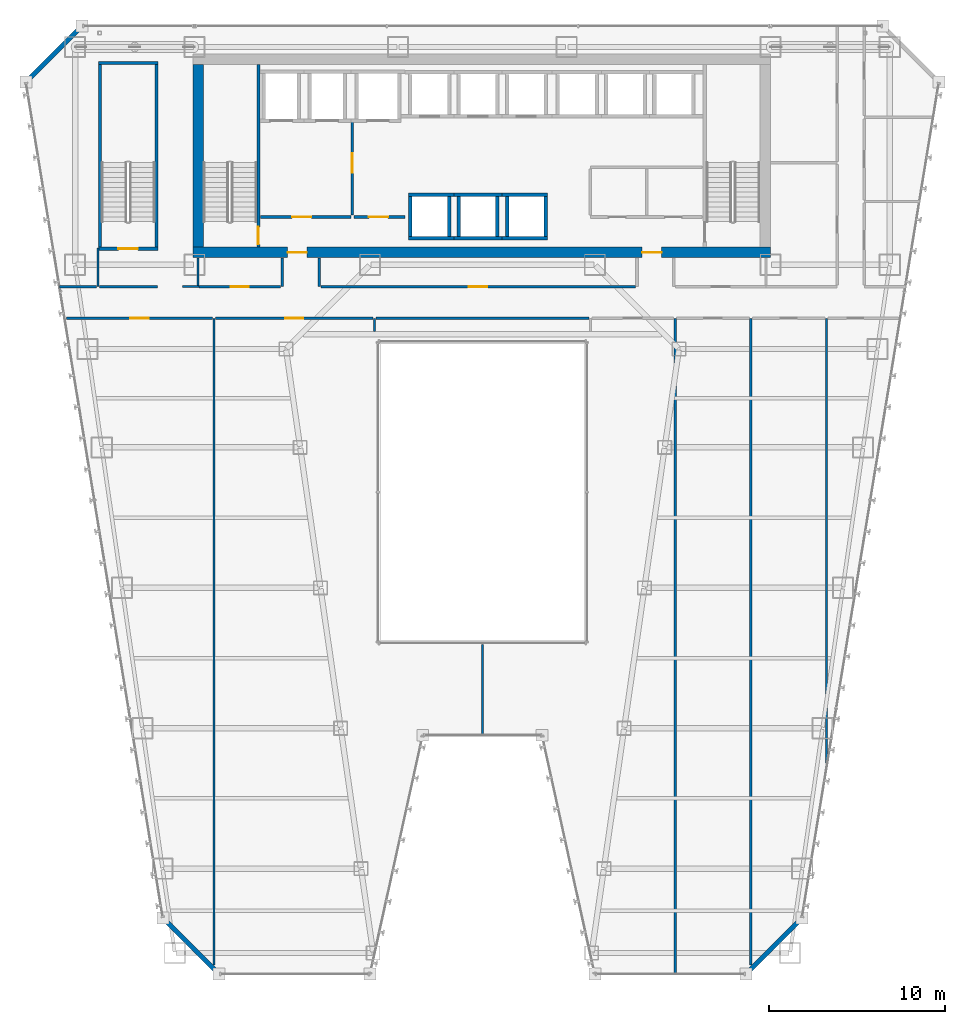
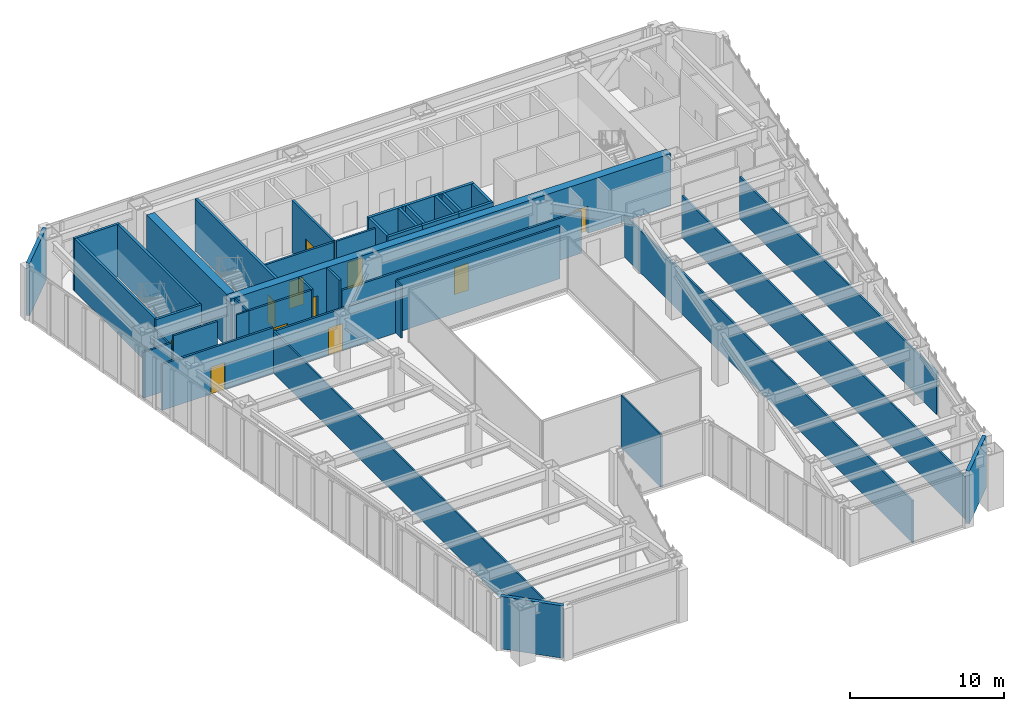
# One storey, part 36 of 47: 43 walls, 11 doors, 11 openings.
"""IFC4 building model written with IfcOpenShell, lengths in metres."""

from ifc_helpers import new_model, si_unit, direction, frame, frame_2d, origin, place, context, subcontext, project, spatial, rectangle, extrude, material, layer, layer_set, type_object, element, fill, save


model = new_model("IFC4")

# Units and contexts
model_context = context("Model", 3, precision=1e-05, world=origin(), true_north=direction((0.0, 1.0)))
body_context = subcontext(model_context, "Body", "Model", "MODEL_VIEW")
ifc_project = project(units=[si_unit("LENGTHUNIT", "METRE"), si_unit("AREAUNIT", "SQUARE_METRE"), si_unit("VOLUMEUNIT", "CUBIC_METRE"), si_unit("PLANEANGLEUNIT", "RADIAN"), si_unit("MASSUNIT", "GRAM", prefix="KILO")], contexts=[model_context])

# Site, building, storey
site_placement = place(None, origin())
site = spatial("IfcSite", under=ifc_project, at=site_placement, CompositionType="ELEMENT")
building_placement = place(site_placement, origin())
building = spatial("IfcBuilding", under=site, at=building_placement, Name="Saevonmaru Cultural Tower", CompositionType="ELEMENT")
storey_placement = place(building_placement, frame((0.0, 0.0, 64.800048828125)))
storey = spatial("IfcBuildingStorey", under=building, at=storey_placement, Name="L13", CompositionType="ELEMENT", Elevation=64.800048828125)

# Wall, openings, doors
ifc_material_1 = material(Name="Concrete C60/75", Category="concrete")
ifc_layer_1 = layer(ifc_material_1, 0.60009765625, Name="Concrete C60/75")
ifc_layer_set_1 = layer_set([ifc_layer_1], Name="Concrete C60/75")
wall_type_1 = type_object("IfcWallType", Name="WL-CORE-600", PredefinedType="SHEAR", material=ifc_layer_set_1)
wall_1_placement = place(storey_placement, frame((13.5, 43.10009765625, 0.0), z_axis=(0.0, 0.0, 1.0), x_axis=(1.0, 0.0, 0.0)))
wall_1 = element("IfcWall", 1, at=wall_1_placement, inside=storey, type_object=wall_type_1, Name="L13 Tower RC core shear wall S", PredefinedType="SHEAR", context=body_context, shape_type="SweptSolid", body=[
    extrude(rectangle(XDim=32.89990234375, YDim=0.60009765625, at=frame_2d((16.449951171875, 0.0))), origin(), (0.0, 0.0, 1.0), 4.14990234375),
])
opening_1_placement = place(wall_1_placement, frame((5.39990234375, 0.0, 0.0)))
opening_1 = element("IfcOpeningElement", 2, at=opening_1_placement, cuts=wall_1, Name="Opening FD-2", PredefinedType="OPENING", context=body_context, shape_type="SweptSolid", body=[
    extrude(rectangle(XDim=1.10009765625, YDim=2.14990234375, at=frame_2d((0.550048828125, 1.074951171875))), frame((0.0, 0.31005859375, 0.0), z_axis=(0.0, -1.0, 0.0), x_axis=(1.0, 0.0, 0.0)), (0.0, 0.0, 1.0), 0.6201171875),
])
opening_2_placement = place(wall_1_placement, frame((25.60009765625, 0.0, 0.0)))
opening_2 = element("IfcOpeningElement", 3, at=opening_2_placement, cuts=wall_1, Name="Opening FD-2", PredefinedType="OPENING", context=body_context, shape_type="SweptSolid", body=[
    extrude(rectangle(XDim=1.10009765625, YDim=2.14990234375, at=frame_2d((0.550048828125, 1.074951171875))), frame((0.0, 0.31005859375, 0.0), z_axis=(0.0, -1.0, 0.0), x_axis=(1.0, 0.0, 0.0)), (0.0, 0.0, 1.0), 0.6201171875),
])
ifc_material_2 = material(Name="Satin Bronze Anodised Aluminium", Category="aluminium")
door_type_1 = type_object("IfcDoorType", Name="DR-FD60-1100", OperationType="SINGLE_SWING_LEFT", PredefinedType="DOOR", material=ifc_material_2)
door_1_placement = place(opening_1_placement, origin())
door_1 = element("IfcDoor", 4, at=door_1_placement, inside=storey, type_object=door_type_1, Name="L13 Core West Lobby Fire Door", OperationType="SINGLE_SWING_LEFT", OverallHeight=2.14990234375, OverallWidth=1.10009765625, PredefinedType="DOOR", context=body_context, shape_type="SweptSolid", body=[
    extrude(rectangle(XDim=1.10009765625, YDim=2.14990234375, at=frame_2d((0.550048828125, 1.074951171875))), frame((0.0, 0.02490234375, 0.0), z_axis=(0.0, -1.0, 0.0), x_axis=(1.0, 0.0, 0.0)), (0.0, 0.0, 1.0), 0.050048828125),
])
fill(opening_1, door_1)
door_2_placement = place(opening_2_placement, origin())
door_2 = element("IfcDoor", 5, at=door_2_placement, inside=storey, type_object=door_type_1, Name="L13 Core East Lobby Fire Door", OperationType="SINGLE_SWING_LEFT", OverallHeight=2.14990234375, OverallWidth=1.10009765625, PredefinedType="DOOR", context=body_context, shape_type="SweptSolid", body=[
    extrude(rectangle(XDim=1.10009765625, YDim=2.14990234375, at=frame_2d((0.550048828125, 1.074951171875))), frame((0.0, 0.02490234375, 0.0), z_axis=(0.0, -1.0, 0.0), x_axis=(1.0, 0.0, 0.0)), (0.0, 0.0, 1.0), 0.050048828125),
])
fill(opening_2, door_2)

# Wall
wall_2_placement = place(storey_placement, frame((13.800048828125, 43.39990234375, 0.0), z_axis=(0.0, 0.0, 1.0), x_axis=(0.0, 1.0, 0.0)))
element("IfcWall", 6, at=wall_2_placement, inside=storey, type_object=wall_type_1, Name="L13 Tower RC core shear wall W", PredefinedType="SHEAR", context=body_context, shape_type="SweptSolid", body=[
    extrude(rectangle(XDim=10.400146484375, YDim=0.60009765625, at=frame_2d((5.2001953125, 0.0))), origin(), (0.0, 0.0, 1.0), 4.14990234375),
])

# Wall, opening, door
ifc_material_3 = material(Name="Gypsum Fireboard Partition", Category="gypsum")
ifc_layer_2 = layer(ifc_material_3, 0.14990234375, Name="Gypsum Fireboard Partition")
ifc_layer_set_2 = layer_set([ifc_layer_2], Name="Gypsum Fireboard Partition")
wall_type_2 = type_object("IfcWallType", Name="WL-CORE-PART-150", PredefinedType="PARTITIONING", material=ifc_layer_set_2)
wall_3_placement = place(storey_placement, frame((17.360107421875, 45.1201171875, 0.0), z_axis=(0.0, 0.0, 1.0), x_axis=(1.0, 0.0, 0.0)))
wall_3 = element("IfcWall", 7, at=wall_3_placement, inside=storey, type_object=wall_type_2, Name="L13 Firefighting Lift Lobby South Wall", PredefinedType="PARTITIONING", context=body_context, shape_type="SweptSolid", body=[
    extrude(rectangle(XDim=5.139892578125, YDim=0.14990234375, at=frame_2d((2.56982421875, 0.0))), origin(), (0.0, 0.0, 1.0), 4.14990234375),
])
opening_3_placement = place(wall_3_placement, frame((1.800048828125, 0.0, 0.0)))
opening_3 = element("IfcOpeningElement", 8, at=opening_3_placement, cuts=wall_3, Name="Opening FD-2", PredefinedType="OPENING", context=body_context, shape_type="SweptSolid", body=[
    extrude(rectangle(XDim=1.10009765625, YDim=2.14990234375, at=frame_2d((0.550048828125, 1.074951171875))), frame((0.0, 0.0849609375, 0.0), z_axis=(0.0, -1.0, 0.0), x_axis=(1.0, 0.0, 0.0)), (0.0, 0.0, 1.0), 0.169921875),
])
door_3_placement = place(opening_3_placement, origin())
door_3 = element("IfcDoor", 9, at=door_3_placement, inside=storey, type_object=door_type_1, Name="L13 Firefighting Lift Lobby South Door", OperationType="SINGLE_SWING_LEFT", OverallHeight=2.14990234375, OverallWidth=1.10009765625, PredefinedType="DOOR", context=body_context, shape_type="SweptSolid", body=[
    extrude(rectangle(XDim=1.10009765625, YDim=2.14990234375, at=frame_2d((0.550048828125, 1.074951171875))), frame((0.0, 0.02490234375, 0.0), z_axis=(0.0, -1.0, 0.0), x_axis=(1.0, 0.0, 0.0)), (0.0, 0.0, 1.0), 0.050048828125),
])
fill(opening_3, door_3)

wall_4_placement = place(storey_placement, frame((22.580078125, 50.550048828125, 0.0), z_axis=(0.0, 0.0, 1.0), x_axis=(0.0, -1.0, 0.0)))
wall_4 = element("IfcWall", 10, at=wall_4_placement, inside=storey, type_object=wall_type_2, Name="L13 Firefighting Lift Lobby East Wall", PredefinedType="PARTITIONING", context=body_context, shape_type="SweptSolid", body=[
    extrude(rectangle(XDim=5.330078125, YDim=0.14990234375, at=frame_2d((2.6650390625, 0.0))), origin(), (0.0, 0.0, 1.0), 4.14990234375),
])
opening_4_placement = place(wall_4_placement, frame((1.800048828125, 0.0, 0.0)))
opening_4 = element("IfcOpeningElement", 11, at=opening_4_placement, cuts=wall_4, Name="Opening FD-2", PredefinedType="OPENING", context=body_context, shape_type="SweptSolid", body=[
    extrude(rectangle(XDim=1.10009765625, YDim=2.14990234375, at=frame_2d((0.550048828125, 1.074951171875))), frame((0.0, 0.0849609375, 0.0), z_axis=(0.0, -1.0, 0.0), x_axis=(1.0, 0.0, 0.0)), (0.0, 0.0, 1.0), 0.169921875),
])
door_4_placement = place(opening_4_placement, origin())
door_4 = element("IfcDoor", 12, at=door_4_placement, inside=storey, type_object=door_type_1, Name="L13 Firefighting Lift Lobby East Door", OperationType="SINGLE_SWING_LEFT", OverallHeight=2.14990234375, OverallWidth=1.10009765625, PredefinedType="DOOR", context=body_context, shape_type="SweptSolid", body=[
    extrude(rectangle(XDim=1.10009765625, YDim=2.14990234375, at=frame_2d((0.550048828125, 1.074951171875))), frame((0.0, 0.02490234375, 0.0), z_axis=(0.0, -1.0, 0.0), x_axis=(1.0, 0.0, 0.0)), (0.0, 0.0, 1.0), 0.050048828125),
])
fill(opening_4, door_4)

wall_5_placement = place(storey_placement, frame((22.679931640625, 45.1201171875, 0.0), z_axis=(0.0, 0.0, 1.0), x_axis=(1.0, 0.0, 0.0)))
wall_5 = element("IfcWall", 13, at=wall_5_placement, inside=storey, type_object=wall_type_2, Name="L13 Service Lift Vestibule Wall", PredefinedType="PARTITIONING", context=body_context, shape_type="SweptSolid", body=[
    extrude(rectangle(XDim=2.920166015625, YDim=0.14990234375, at=frame_2d((1.4599609375, 0.0))), origin(), (0.0, 0.0, 1.0), 4.14990234375),
])
opening_5_placement = place(wall_5_placement, frame((0.85009765625, 0.0, 0.0)))
opening_5 = element("IfcOpeningElement", 14, at=opening_5_placement, cuts=wall_5, Name="Opening FD-2", PredefinedType="OPENING", context=body_context, shape_type="SweptSolid", body=[
    extrude(rectangle(XDim=1.10009765625, YDim=2.14990234375, at=frame_2d((0.550048828125, 1.074951171875))), frame((0.0, 0.0849609375, 0.0), z_axis=(0.0, -1.0, 0.0), x_axis=(1.0, 0.0, 0.0)), (0.0, 0.0, 1.0), 0.169921875),
])
door_5_placement = place(opening_5_placement, origin())
door_5 = element("IfcDoor", 15, at=door_5_placement, inside=storey, type_object=door_type_1, Name="L13 Service Lift Vestibule Door", OperationType="SINGLE_SWING_LEFT", OverallHeight=2.14990234375, OverallWidth=1.10009765625, PredefinedType="DOOR", context=body_context, shape_type="SweptSolid", body=[
    extrude(rectangle(XDim=1.10009765625, YDim=2.14990234375, at=frame_2d((0.550048828125, 1.074951171875))), frame((0.0, 0.02490234375, 0.0), z_axis=(0.0, -1.0, 0.0), x_axis=(1.0, 0.0, 0.0)), (0.0, 0.0, 1.0), 0.050048828125),
])
fill(opening_5, door_5)

# Walls
ifc_material_4 = material(Name="Granite-Clad Precast Concrete C40/50", Category="masonry")
ifc_layer_3 = layer(ifc_material_4, 0.260009765625, Name="Granite-Clad Precast Concrete C40/50")
ifc_layer_set_3 = layer_set([ifc_layer_3], Name="Granite-Clad Precast Concrete C40/50")
wall_type_3 = type_object("IfcWallType", Name="WL-EXT-SPANDREL-260", PredefinedType="STANDARD", material=ifc_layer_set_3)
for number, where, z_axis, x_axis, name in (
    (16, (11.9130859375, 5.0869140625, 0.0), (0.0, 0.0, 1.0), (0.707106781187, -0.707106781187, 0.0), "L13 Chamfer Corner Spandrel Wall E1"),
    (17, (45.113037109375, 2.113037109375, 0.0), (0.0, 0.0, 1.0), (0.707106781187, 0.707106781187, 0.0), "L13 Chamfer Corner Spandrel Wall E7"),
    (18, (7.0869140625, 55.886962890625, 0.0), (0.0, 0.0, 1.0), (-0.707106781187, -0.707106781187, 0.0), "L13 Chamfer Corner Spandrel Wall E11"),
):
    element("IfcWall", number, at=place(storey_placement, frame(where, z_axis=z_axis, x_axis=x_axis)), inside=storey, type_object=wall_type_3, Name=name, PredefinedType="STANDARD", context=body_context, shape_type="SweptSolid", body=[
        extrude(rectangle(XDim=4.205810546875, YDim=0.260009765625, at=frame_2d((2.10302734375, 0.0))), origin(), (0.0, 0.0, 1.0), 4.14990234375),
    ])
ifc_layer_4 = layer(ifc_material_3, 0.14990234375, Name="Gypsum Fireboard Partition")
ifc_layer_set_4 = layer_set([ifc_layer_4], Name="Gypsum Fireboard Partition")
wall_type_4 = type_object("IfcWallType", Name="WL-PART-FIRE-150", PredefinedType="PARTITIONING", material=ifc_layer_set_4)
wall_6_placement = place(storey_placement, frame((8.179931640625, 41.14990234375, 0.0), z_axis=(0.0, 0.0, 1.0), x_axis=(1.0, 0.0, 0.0)))
element("IfcWall", 19, at=wall_6_placement, inside=storey, type_object=wall_type_4, Name="L13 Stair ST-3 South Vestibule Wall", PredefinedType="PARTITIONING", context=body_context, shape_type="SweptSolid", body=[
    extrude(rectangle(XDim=3.300048828125, YDim=0.14990234375, at=frame_2d((1.64990234375, 0.0))), origin(), (0.0, 0.0, 1.0), 4.14990234375),
])
wall_7_placement = place(storey_placement, frame((5.9140625, 41.14990234375, 0.0), z_axis=(0.0, 0.0, 1.0), x_axis=(1.0, 0.0, 0.0)))
element("IfcWall", 20, at=wall_7_placement, inside=storey, type_object=wall_type_4, Name="L13 Contemporary Photography Gallery Corridor Wall", PredefinedType="PARTITIONING", context=body_context, shape_type="SweptSolid", body=[
    extrude(rectangle(XDim=2.10595703125, YDim=0.14990234375, at=frame_2d((1.052978515625, 0.0))), origin(), (0.0, 0.0, 1.0), 3.635009765625),
])
for number, where, z_axis, x_axis, name in (
    (21, (18.60009765625, 41.14990234375, 0.0), (0.0, 0.0, 1.0), (0.0, 1.0, 0.0), "L13 Core Portal Side Wall W1"),
    (22, (20.699951171875, 41.14990234375, 0.0), (0.0, 0.0, 1.0), (0.0, 1.0, 0.0), "L13 Core Portal Side Wall W2"),
):
    element("IfcWall", number, at=place(storey_placement, frame(where, z_axis=z_axis, x_axis=x_axis)), inside=storey, type_object=wall_type_4, Name=name, PredefinedType="PARTITIONING", context=body_context, shape_type="SweptSolid", body=[
        extrude(rectangle(XDim=1.630126953125, YDim=0.14990234375, at=frame_2d((0.81494140625, 0.0))), origin(), (0.0, 0.0, 1.0), 4.14990234375),
    ])

# Wall, opening, door
wall_8_placement = place(storey_placement, frame((13.85009765625, 41.14990234375, 0.0), z_axis=(0.0, 0.0, 1.0), x_axis=(1.0, 0.0, 0.0)))
wall_8 = element("IfcWall", 23, at=wall_8_placement, inside=storey, type_object=wall_type_4, Name="L13 Permanent Exhibition Gallery Corridor Wall", PredefinedType="PARTITIONING", context=body_context, shape_type="SweptSolid", body=[
    extrude(rectangle(XDim=4.65478515625, YDim=0.14990234375, at=frame_2d((2.327392578125, 0.0))), origin(), (0.0, 0.0, 1.0), 4.14990234375),
])
opening_6_placement = place(wall_8_placement, frame((1.802001953125, 0.0, 0.0)))
opening_6 = element("IfcOpeningElement", 24, at=opening_6_placement, cuts=wall_8, Name="Opening ID-1", PredefinedType="OPENING", context=body_context, shape_type="SweptSolid", body=[
    extrude(rectangle(XDim=1.050048828125, YDim=2.14990234375, at=frame_2d((0.52490234375, 1.074951171875))), frame((0.0, 0.0849609375, 0.0), z_axis=(0.0, -1.0, 0.0), x_axis=(1.0, 0.0, 0.0)), (0.0, 0.0, 1.0), 0.169921875),
])
door_type_2 = type_object("IfcDoorType", Name="DR-INT-1050", OperationType="SINGLE_SWING_LEFT", PredefinedType="DOOR", material=ifc_material_2)
door_6_placement = place(opening_6_placement, origin())
door_6 = element("IfcDoor", 25, at=door_6_placement, inside=storey, type_object=door_type_2, Name="L13 Permanent Exhibition Gallery Door", OperationType="SINGLE_SWING_LEFT", OverallHeight=2.14990234375, OverallWidth=1.050048828125, PredefinedType="DOOR", context=body_context, shape_type="SweptSolid", body=[
    extrude(rectangle(XDim=1.050048828125, YDim=2.14990234375, at=frame_2d((0.52490234375, 1.074951171875))), frame((0.0, 0.02490234375, 0.0), z_axis=(0.0, -1.0, 0.0), x_axis=(1.0, 0.0, 0.0)), (0.0, 0.0, 1.0), 0.050048828125),
])
fill(opening_6, door_6)

wall_9_placement = place(storey_placement, frame((20.794921875, 41.14990234375, 0.0), z_axis=(0.0, 0.0, 1.0), x_axis=(1.0, 0.0, 0.0)))
wall_9 = element("IfcWall", 26, at=wall_9_placement, inside=storey, type_object=wall_type_4, Name="L13 Contemporary Photography Gallery Corridor Wall", PredefinedType="PARTITIONING", context=body_context, shape_type="SweptSolid", body=[
    extrude(rectangle(XDim=17.91015625, YDim=0.14990234375, at=frame_2d((8.955078125, 0.0))), origin(), (0.0, 0.0, 1.0), 3.3349609375),
])
opening_7_placement = place(wall_9_placement, frame((8.429931640625, 0.0, 0.0)))
opening_7 = element("IfcOpeningElement", 27, at=opening_7_placement, cuts=wall_9, Name="Opening ID-1", PredefinedType="OPENING", context=body_context, shape_type="SweptSolid", body=[
    extrude(rectangle(XDim=1.050048828125, YDim=2.14990234375, at=frame_2d((0.52490234375, 1.074951171875))), frame((0.0, 0.0849609375, 0.0), z_axis=(0.0, -1.0, 0.0), x_axis=(1.0, 0.0, 0.0)), (0.0, 0.0, 1.0), 0.169921875),
])
door_7_placement = place(opening_7_placement, origin())
door_7 = element("IfcDoor", 28, at=door_7_placement, inside=storey, type_object=door_type_2, Name="L13 Contemporary Photography Gallery Door", OperationType="SINGLE_SWING_RIGHT", OverallHeight=2.14990234375, OverallWidth=1.050048828125, PredefinedType="DOOR", context=body_context, shape_type="SweptSolid", body=[
    extrude(rectangle(XDim=1.050048828125, YDim=2.14990234375, at=frame_2d((0.52490234375, 1.074951171875))), frame((0.0, 0.02490234375, 0.0), z_axis=(0.0, -1.0, 0.0), x_axis=(1.0, 0.0, 0.0)), (0.0, 0.0, 1.0), 0.050048828125),
])
fill(opening_7, door_7)

wall_10_placement = place(storey_placement, frame((6.304931640625, 39.35009765625, 0.0), z_axis=(0.0, 0.0, 1.0), x_axis=(1.0, 0.0, 0.0)))
wall_10 = element("IfcWall", 29, at=wall_10_placement, inside=storey, type_object=wall_type_4, Name="L13 Permanent Exhibition Gallery Corridor Wall", PredefinedType="PARTITIONING", context=body_context, shape_type="SweptSolid", body=[
    extrude(rectangle(XDim=8.324951171875, YDim=0.14990234375, at=frame_2d((4.16259765625, 0.0))), origin(), (0.0, 0.0, 1.0), 3.635009765625),
])
opening_8_placement = place(wall_10_placement, frame((3.637939453125, 0.0, 0.0)))
opening_8 = element("IfcOpeningElement", 30, at=opening_8_placement, cuts=wall_10, Name="Opening ID-1", PredefinedType="OPENING", context=body_context, shape_type="SweptSolid", body=[
    extrude(rectangle(XDim=1.050048828125, YDim=2.14990234375, at=frame_2d((0.52490234375, 1.074951171875))), frame((0.0, 0.0849609375, 0.0), z_axis=(0.0, -1.0, 0.0), x_axis=(1.0, 0.0, 0.0)), (0.0, 0.0, 1.0), 0.169921875),
])
door_8_placement = place(opening_8_placement, origin())
door_8 = element("IfcDoor", 31, at=door_8_placement, inside=storey, type_object=door_type_2, Name="L13 Permanent Exhibition Gallery Door", OperationType="SINGLE_SWING_RIGHT", OverallHeight=2.14990234375, OverallWidth=1.050048828125, PredefinedType="DOOR", context=body_context, shape_type="SweptSolid", body=[
    extrude(rectangle(XDim=1.050048828125, YDim=2.14990234375, at=frame_2d((0.52490234375, 1.074951171875))), frame((0.0, 0.02490234375, 0.0), z_axis=(0.0, -1.0, 0.0), x_axis=(1.0, 0.0, 0.0)), (0.0, 0.0, 1.0), 0.050048828125),
])
fill(opening_8, door_8)

wall_11_placement = place(storey_placement, frame((14.7900390625, 39.35009765625, 0.0), z_axis=(0.0, 0.0, 1.0), x_axis=(1.0, 0.0, 0.0)))
wall_11 = element("IfcWall", 32, at=wall_11_placement, inside=storey, type_object=wall_type_4, Name="L13 Contemporary Photography Gallery Corridor Wall", PredefinedType="PARTITIONING", context=body_context, shape_type="SweptSolid", body=[
    extrude(rectangle(XDim=8.97998046875, YDim=0.14990234375, at=frame_2d((4.489990234375, 0.0))), origin(), (0.0, 0.0, 1.0), 3.3349609375),
])
opening_9_placement = place(wall_11_placement, frame((3.965087890625, 0.0, 0.0)))
opening_9 = element("IfcOpeningElement", 33, at=opening_9_placement, cuts=wall_11, Name="Opening ID-1", PredefinedType="OPENING", context=body_context, shape_type="SweptSolid", body=[
    extrude(rectangle(XDim=1.050048828125, YDim=2.14990234375, at=frame_2d((0.52490234375, 1.074951171875))), frame((0.0, 0.0849609375, 0.0), z_axis=(0.0, -1.0, 0.0), x_axis=(1.0, 0.0, 0.0)), (0.0, 0.0, 1.0), 0.169921875),
])
door_9_placement = place(opening_9_placement, origin())
door_9 = element("IfcDoor", 34, at=door_9_placement, inside=storey, type_object=door_type_2, Name="L13 Contemporary Photography Gallery Door", OperationType="SINGLE_SWING_LEFT", OverallHeight=2.14990234375, OverallWidth=1.050048828125, PredefinedType="DOOR", context=body_context, shape_type="SweptSolid", body=[
    extrude(rectangle(XDim=1.050048828125, YDim=2.14990234375, at=frame_2d((0.52490234375, 1.074951171875))), frame((0.0, 0.02490234375, 0.0), z_axis=(0.0, -1.0, 0.0), x_axis=(1.0, 0.0, 0.0)), (0.0, 0.0, 1.0), 0.050048828125),
])
fill(opening_9, door_9)

# Walls
wall_12_placement = place(storey_placement, frame((23.929931640625, 39.35009765625, 0.0), z_axis=(0.0, 0.0, 1.0), x_axis=(1.0, 0.0, 0.0)))
element("IfcWall", 35, at=wall_12_placement, inside=storey, type_object=wall_type_4, Name="L13 North Atrium Corridor Wall", PredefinedType="PARTITIONING", context=body_context, shape_type="SweptSolid", body=[
    extrude(rectangle(XDim=12.14013671875, YDim=0.14990234375, at=frame_2d((6.070068359375, 0.0))), origin(), (0.0, 0.0, 1.0), 4.14990234375),
])
ifc_layer_5 = layer(ifc_material_3, 0.1201171875, Name="Gypsum Fireboard Partition")
ifc_layer_set_5 = layer_set([ifc_layer_5], Name="Gypsum Fireboard Partition")
wall_type_5 = type_object("IfcWallType", Name="WL-PART-GYP-120", PredefinedType="PARTITIONING", material=ifc_layer_set_5)
wall_13_placement = place(storey_placement, frame((12.919921875, 41.14990234375, 0.0), z_axis=(0.0, 0.0, 1.0), x_axis=(1.0, 0.0, 0.0)))
element("IfcWall", 36, at=wall_13_placement, inside=storey, type_object=wall_type_5, Name="L13 NW Inner South Wall", PredefinedType="PARTITIONING", context=body_context, shape_type="SweptSolid", body=[
    extrude(rectangle(XDim=0.93017578125, YDim=0.1201171875, at=frame_2d((0.465087890625, 0.0))), origin(), (0.0, 0.0, 1.0), 4.14990234375),
])
wall_14_placement = place(storey_placement, frame((13.800048828125, 41.22998046875, 0.0), z_axis=(0.0, 0.0, 1.0), x_axis=(0.0, 1.0, 0.0)))
element("IfcWall", 37, at=wall_14_placement, inside=storey, type_object=wall_type_5, Name="L13 NW Inner Core Return", PredefinedType="PARTITIONING", context=body_context, shape_type="SweptSolid", body=[
    extrude(rectangle(XDim=1.550048828125, YDim=0.1201171875, at=frame_2d((0.77490234375, 0.0))), origin(), (0.0, 0.0, 1.0), 4.14990234375),
])
wall_15_placement = place(storey_placement, frame((8.10009765625, 41.14990234375, 0.0), z_axis=(0.0, 0.0, 1.0), x_axis=(0.0, 1.0, 0.0)))
element("IfcWall", 38, at=wall_15_placement, inside=storey, type_object=wall_type_5, Name="L13 NW Stair Return", PredefinedType="PARTITIONING", context=body_context, shape_type="SweptSolid", body=[
    extrude(rectangle(XDim=2.2001953125, YDim=0.1201171875, at=frame_2d((1.10009765625, 0.0))), origin(), (0.0, 0.0, 1.0), 3.3349609375),
])
wall_16_placement = place(storey_placement, frame((14.7099609375, 2.502197265625, 0.0), z_axis=(0.0, 0.0, 1.0), x_axis=(0.0, 1.0, 0.0)))
element("IfcWall", 39, at=wall_16_placement, inside=storey, type_object=wall_type_5, Name="L13 West Bay Divider 1", PredefinedType="PARTITIONING", context=body_context, shape_type="SweptSolid", body=[
    extrude(rectangle(XDim=36.847900390625, YDim=0.1201171875, at=frame_2d((18.423828125, 0.0))), origin(), (0.0, 0.0, 1.0), 3.3349609375),
])
wall_17_placement = place(storey_placement, frame((23.85009765625, 38.60009765625, 0.0), z_axis=(0.0, 0.0, 1.0), x_axis=(0.0, 1.0, 0.0)))
element("IfcWall", 40, at=wall_17_placement, inside=storey, type_object=wall_type_5, Name="L13 North Atrium West Wall", PredefinedType="PARTITIONING", context=body_context, shape_type="SweptSolid", body=[
    extrude(rectangle(XDim=0.75, YDim=0.1201171875, at=frame_2d((0.375, 0.0))), origin(), (0.0, 0.0, 1.0), 4.14990234375),
])
wall_18_placement = place(storey_placement, frame((30.0, 15.60498046875, 0.0), z_axis=(0.0, 0.0, 1.0), x_axis=(0.0, 1.0, 0.0)))
element("IfcWall", 41, at=wall_18_placement, inside=storey, type_object=wall_type_5, Name="L13 South Atrium Center Split", PredefinedType="PARTITIONING", context=body_context, shape_type="SweptSolid", body=[
    extrude(rectangle(XDim=5.175048828125, YDim=0.1201171875, at=frame_2d((2.58740234375, 0.0))), origin(), (0.0, 0.0, 1.0), 4.14990234375),
])
ifc_layer_6 = layer(ifc_material_3, 0.135009765625, Name="Gypsum Fireboard Partition")
ifc_layer_set_6 = layer_set([ifc_layer_6], Name="Gypsum Fireboard Partition")
wall_type_6 = type_object("IfcWallType", Name="WL-PART-GYP-135", PredefinedType="PARTITIONING", material=ifc_layer_set_6)
wall_19_placement = place(storey_placement, frame((40.97998046875, 2.0048828125, 0.0), z_axis=(0.0, 0.0, 1.0), x_axis=(0.0, 1.0, 0.0)))
element("IfcWall", 42, at=wall_19_placement, inside=storey, type_object=wall_type_6, Name="L13 East Bay Divider 1", PredefinedType="PARTITIONING", context=body_context, shape_type="SweptSolid", body=[
    extrude(rectangle(XDim=37.34521484375, YDim=0.135009765625, at=frame_2d((18.672607421875, 0.0))), origin(), (0.0, 0.0, 1.0), 3.3349609375),
])
wall_20_placement = place(storey_placement, frame((45.2900390625, 2.502197265625, 0.0), z_axis=(0.0, 0.0, 1.0), x_axis=(0.0, 1.0, 0.0)))
element("IfcWall", 43, at=wall_20_placement, inside=storey, type_object=wall_type_6, Name="L13 East Bay Divider 2", PredefinedType="PARTITIONING", context=body_context, shape_type="SweptSolid", body=[
    extrude(rectangle(XDim=36.847900390625, YDim=0.135009765625, at=frame_2d((18.423828125, 0.0))), origin(), (0.0, 0.0, 1.0), 3.3349609375),
])
wall_21_placement = place(storey_placement, frame((49.60009765625, 13.7744140625, 0.0), z_axis=(0.0, 0.0, 1.0), x_axis=(0.0, 1.0, 0.0)))
element("IfcWall", 44, at=wall_21_placement, inside=storey, type_object=wall_type_6, Name="L13 East Bay Divider 3", PredefinedType="PARTITIONING", context=body_context, shape_type="SweptSolid", body=[
    extrude(rectangle(XDim=25.57568359375, YDim=0.135009765625, at=frame_2d((12.787841796875, 0.0))), origin(), (0.0, 0.0, 1.0), 3.3349609375),
])
ifc_material_5 = material(Name="Concrete C40/50", Category="concrete")
ifc_layer_7 = layer(ifc_material_5, 0.199951171875, Name="Concrete C40/50")
ifc_layer_set_7 = layer_set([ifc_layer_7], Name="Concrete C40/50")
wall_type_7 = type_object("IfcWallType", Name="WL-SHAFT-200", PredefinedType="SHEAR", material=ifc_layer_set_7)
for number, where, z_axis, x_axis, name in (
    (45, (25.800048828125, 43.89990234375, 0.0), (0.0, 0.0, 1.0), (1.0, 0.0, 0.0), "L13 Lift PL-M1 Hoistway Wall S"),
    (46, (25.800048828125, 46.39990234375, 0.0), (0.0, 0.0, 1.0), (1.0, 0.0, 0.0), "L13 Lift PL-M1 Hoistway Wall N"),
):
    element("IfcWall", number, at=place(storey_placement, frame(where, z_axis=z_axis, x_axis=x_axis)), inside=storey, type_object=wall_type_7, Name=name, PredefinedType="SHEAR", context=body_context, shape_type="SweptSolid", body=[
        extrude(rectangle(XDim=2.574951171875, YDim=0.199951171875, at=frame_2d((1.28759765625, 0.0))), origin(), (0.0, 0.0, 1.0), 4.14990234375),
    ])
for number, where, z_axis, x_axis, name in (
    (47, (25.89990234375, 44.0, 0.0), (0.0, 0.0, 1.0), (0.0, 1.0, 0.0), "L13 Lift PL-M1 Hoistway Wall W"),
    (48, (28.10009765625, 44.0, 0.0), (0.0, 0.0, 1.0), (0.0, 1.0, 0.0), "L13 Lift PL-M1 Hoistway Wall E"),
):
    element("IfcWall", number, at=place(storey_placement, frame(where, z_axis=z_axis, x_axis=x_axis)), inside=storey, type_object=wall_type_7, Name=name, PredefinedType="SHEAR", context=body_context, shape_type="SweptSolid", body=[
        extrude(rectangle(XDim=2.300048828125, YDim=0.199951171875, at=frame_2d((1.14990234375, 0.0))), origin(), (0.0, 0.0, 1.0), 4.14990234375),
    ])
for number, where, z_axis, x_axis, name in (
    (49, (28.375, 43.89990234375, 0.0), (0.0, 0.0, 1.0), (1.0, 0.0, 0.0), "L13 Lift PL-M2 Hoistway Wall S"),
    (50, (28.375, 46.39990234375, 0.0), (0.0, 0.0, 1.0), (1.0, 0.0, 0.0), "L13 Lift PL-M2 Hoistway Wall N"),
):
    element("IfcWall", number, at=place(storey_placement, frame(where, z_axis=z_axis, x_axis=x_axis)), inside=storey, type_object=wall_type_7, Name=name, PredefinedType="SHEAR", context=body_context, shape_type="SweptSolid", body=[
        extrude(rectangle(XDim=2.75, YDim=0.199951171875, at=frame_2d((1.375, 0.0))), origin(), (0.0, 0.0, 1.0), 4.14990234375),
    ])
for number, where, z_axis, x_axis, name in (
    (51, (28.64990234375, 44.0, 0.0), (0.0, 0.0, 1.0), (0.0, 1.0, 0.0), "L13 Lift PL-M2 Hoistway Wall W"),
    (52, (30.85009765625, 44.0, 0.0), (0.0, 0.0, 1.0), (0.0, 1.0, 0.0), "L13 Lift PL-M2 Hoistway Wall E"),
):
    element("IfcWall", number, at=place(storey_placement, frame(where, z_axis=z_axis, x_axis=x_axis)), inside=storey, type_object=wall_type_7, Name=name, PredefinedType="SHEAR", context=body_context, shape_type="SweptSolid", body=[
        extrude(rectangle(XDim=2.300048828125, YDim=0.199951171875, at=frame_2d((1.14990234375, 0.0))), origin(), (0.0, 0.0, 1.0), 4.14990234375),
    ])
for number, where, z_axis, x_axis, name in (
    (53, (31.125, 43.89990234375, 0.0), (0.0, 0.0, 1.0), (1.0, 0.0, 0.0), "L13 Lift PL-M3 Hoistway Wall S"),
    (54, (31.125, 46.39990234375, 0.0), (0.0, 0.0, 1.0), (1.0, 0.0, 0.0), "L13 Lift PL-M3 Hoistway Wall N"),
):
    element("IfcWall", number, at=place(storey_placement, frame(where, z_axis=z_axis, x_axis=x_axis)), inside=storey, type_object=wall_type_7, Name=name, PredefinedType="SHEAR", context=body_context, shape_type="SweptSolid", body=[
        extrude(rectangle(XDim=2.574951171875, YDim=0.199951171875, at=frame_2d((1.28759765625, 0.0))), origin(), (0.0, 0.0, 1.0), 4.14990234375),
    ])
for number, where, z_axis, x_axis, name in (
    (55, (31.39990234375, 44.0, 0.0), (0.0, 0.0, 1.0), (0.0, 1.0, 0.0), "L13 Lift PL-M3 Hoistway Wall W"),
    (56, (33.60009765625, 44.0, 0.0), (0.0, 0.0, 1.0), (0.0, 1.0, 0.0), "L13 Lift PL-M3 Hoistway Wall E"),
):
    element("IfcWall", number, at=place(storey_placement, frame(where, z_axis=z_axis, x_axis=x_axis)), inside=storey, type_object=wall_type_7, Name=name, PredefinedType="SHEAR", context=body_context, shape_type="SweptSolid", body=[
        extrude(rectangle(XDim=2.300048828125, YDim=0.199951171875, at=frame_2d((1.14990234375, 0.0))), origin(), (0.0, 0.0, 1.0), 4.14990234375),
    ])

# Wall, opening, door
ifc_layer_8 = layer(ifc_material_5, 0.179931640625, Name="Concrete C40/50")
ifc_layer_set_8 = layer_set([ifc_layer_8], Name="Concrete C40/50")
wall_type_8 = type_object("IfcWallType", Name="WL-STSHAFT-180", PredefinedType="SHEAR", material=ifc_layer_set_8)
wall_22_placement = place(storey_placement, frame((17.239990234375, 43.39990234375, 0.0), z_axis=(0.0, 0.0, 1.0), x_axis=(0.0, 1.0, 0.0)))
wall_22 = element("IfcWall", 57, at=wall_22_placement, inside=storey, type_object=wall_type_8, Name="L13 Stair ST-1 Structural Shaft Wall 1", PredefinedType="SHEAR", context=body_context, shape_type="SweptSolid", body=[
    extrude(rectangle(XDim=10.400146484375, YDim=0.179931640625, at=frame_2d((5.2001953125, 0.0))), origin(), (0.0, 0.0, 1.0), 4.14990234375),
])
opening_10_placement = place(wall_22_placement, frame((0.159912109375, 0.0, 0.0)))
opening_10 = element("IfcOpeningElement", 58, at=opening_10_placement, cuts=wall_22, Name="Opening FD-3", PredefinedType="OPENING", context=body_context, shape_type="SweptSolid", body=[
    extrude(rectangle(XDim=1.0, YDim=2.14990234375, at=frame_2d((0.5, 1.074951171875))), frame((0.0, 0.10009765625, 0.0), z_axis=(0.0, -1.0, 0.0), x_axis=(1.0, 0.0, 0.0)), (0.0, 0.0, 1.0), 0.199951171875),
])
door_type_3 = type_object("IfcDoorType", Name="DR-FD60-1000", OperationType="SINGLE_SWING_RIGHT", PredefinedType="DOOR", material=ifc_material_2)
door_10_placement = place(opening_10_placement, origin())
door_10 = element("IfcDoor", 59, at=door_10_placement, inside=storey, type_object=door_type_3, Name="L13 Protected Stair ST-1 Fire Door", OperationType="SINGLE_SWING_RIGHT", OverallHeight=2.14990234375, OverallWidth=1.0, PredefinedType="DOOR", context=body_context, shape_type="SweptSolid", body=[
    extrude(rectangle(XDim=1.0, YDim=2.14990234375, at=frame_2d((0.5, 1.074951171875))), frame((0.0, 0.02490234375, 0.0), z_axis=(0.0, -1.0, 0.0), x_axis=(1.0, 0.0, 0.0)), (0.0, 0.0, 1.0), 0.050048828125),
])
fill(opening_10, door_10)

wall_23_placement = place(storey_placement, frame((8.1201171875, 43.31005859375, 0.0), z_axis=(0.0, 0.0, 1.0), x_axis=(1.0, 0.0, 0.0)))
wall_23 = element("IfcWall", 60, at=wall_23_placement, inside=storey, type_object=wall_type_8, Name="L13 Stair ST-3 Structural Shaft Wall 1", PredefinedType="SHEAR", context=body_context, shape_type="SweptSolid", body=[
    extrude(rectangle(XDim=3.409912109375, YDim=0.179931640625, at=frame_2d((1.705078125, 0.0))), origin(), (0.0, 0.0, 1.0), 4.14990234375),
])
opening_11_placement = place(wall_23_placement, frame((1.14990234375, 0.0, 0.0)))
opening_11 = element("IfcOpeningElement", 61, at=opening_11_placement, cuts=wall_23, Name="Opening FD-2", PredefinedType="OPENING", context=body_context, shape_type="SweptSolid", body=[
    extrude(rectangle(XDim=1.10009765625, YDim=2.14990234375, at=frame_2d((0.550048828125, 1.074951171875))), frame((0.0, 0.10009765625, 0.0), z_axis=(0.0, -1.0, 0.0), x_axis=(1.0, 0.0, 0.0)), (0.0, 0.0, 1.0), 0.199951171875),
])
door_11_placement = place(opening_11_placement, origin())
door_11 = element("IfcDoor", 62, at=door_11_placement, inside=storey, type_object=door_type_1, Name="L13 Protected Stair ST-3 Fire Door", OperationType="SINGLE_SWING_LEFT", OverallHeight=2.14990234375, OverallWidth=1.10009765625, PredefinedType="DOOR", context=body_context, shape_type="SweptSolid", body=[
    extrude(rectangle(XDim=1.10009765625, YDim=2.14990234375, at=frame_2d((0.550048828125, 1.074951171875))), frame((0.0, 0.02490234375, 0.0), z_axis=(0.0, -1.0, 0.0), x_axis=(1.0, 0.0, 0.0)), (0.0, 0.0, 1.0), 0.050048828125),
])
fill(opening_11, door_11)

# Walls
wall_24_placement = place(storey_placement, frame((11.43994140625, 43.39990234375, 0.0), z_axis=(0.0, 0.0, 1.0), x_axis=(0.0, 1.0, 0.0)))
element("IfcWall", 63, at=wall_24_placement, inside=storey, type_object=wall_type_8, Name="L13 Stair ST-3 Structural Shaft Wall 2", PredefinedType="SHEAR", context=body_context, shape_type="SweptSolid", body=[
    extrude(rectangle(XDim=10.400146484375, YDim=0.179931640625, at=frame_2d((5.2001953125, 0.0))), origin(), (0.0, 0.0, 1.0), 4.14990234375),
])
wall_25_placement = place(storey_placement, frame((11.530029296875, 53.889892578125, 0.0), z_axis=(0.0, 0.0, 1.0), x_axis=(-1.0, 0.0, 0.0)))
element("IfcWall", 64, at=wall_25_placement, inside=storey, type_object=wall_type_8, Name="L13 Stair ST-3 Structural Shaft Wall 3", PredefinedType="SHEAR", context=body_context, shape_type="SweptSolid", body=[
    extrude(rectangle(XDim=3.409912109375, YDim=0.179931640625, at=frame_2d((1.705078125, 0.0))), origin(), (0.0, 0.0, 1.0), 4.14990234375),
])
wall_26_placement = place(storey_placement, frame((8.2099609375, 53.800048828125, 0.0), z_axis=(0.0, 0.0, 1.0), x_axis=(0.0, -1.0, 0.0)))
element("IfcWall", 65, at=wall_26_placement, inside=storey, type_object=wall_type_8, Name="L13 Stair ST-3 Structural Shaft Wall 4", PredefinedType="SHEAR", context=body_context, shape_type="SweptSolid", body=[
    extrude(rectangle(XDim=10.400146484375, YDim=0.179931640625, at=frame_2d((5.2001953125, 0.0))), origin(), (0.0, 0.0, 1.0), 4.14990234375),
])

save(model, "model.ifc")
